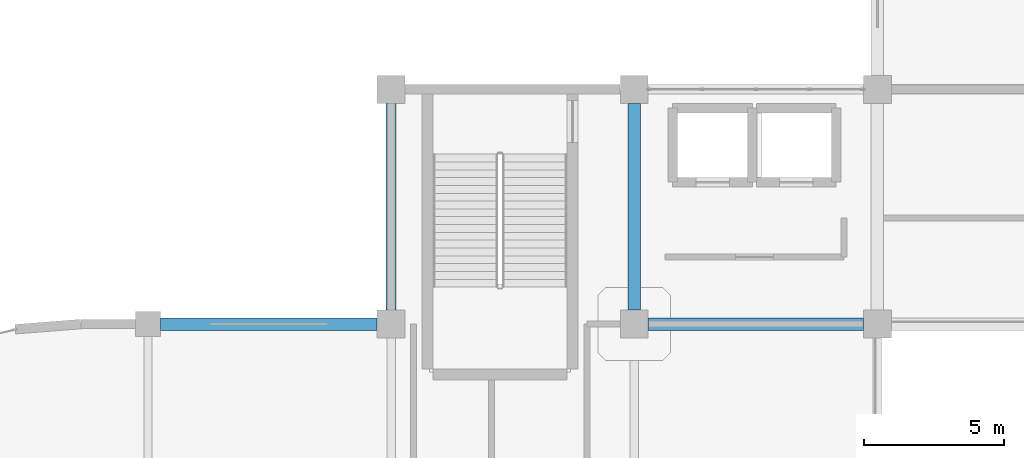
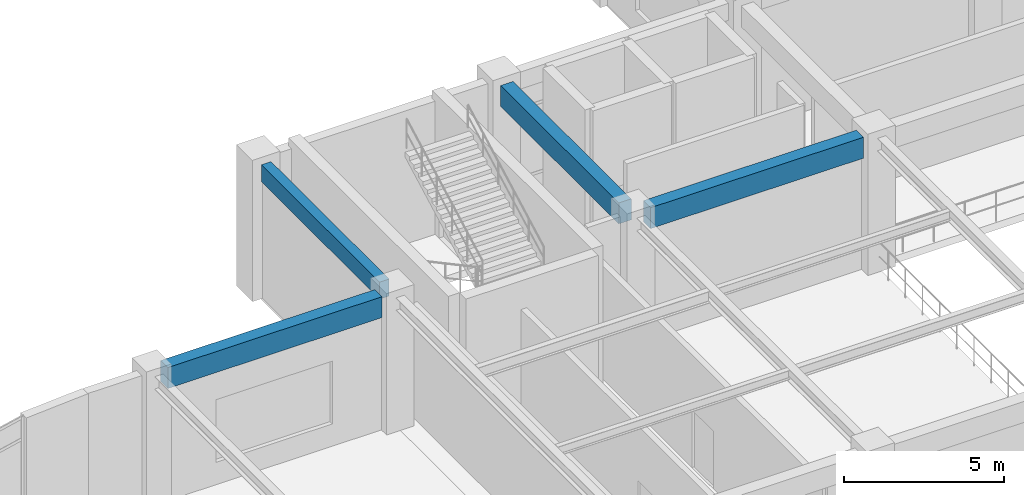
# One storey, part 39 of 114: 4 beams.
"""IFC4 building model written with IfcOpenShell, lengths in metres."""

from ifc_helpers import new_model, si_unit, derived_unit, direction, frame, origin, origin_2d, place, context, subcontext, project, spatial, rectangle, extrude, material, material_profile, profile_set, type_object, element, save


model = new_model("IFC4")

# Units and contexts
model_context = context("Model", 3, precision=1e-05, world=origin(), true_north=direction((0.0, 1.0)))
body_context = subcontext(model_context, "Body", "Model", "MODEL_VIEW")
ifc_project = project(units=[si_unit("LENGTHUNIT", "METRE"), si_unit("AREAUNIT", "SQUARE_METRE"), si_unit("VOLUMEUNIT", "CUBIC_METRE"), si_unit("PLANEANGLEUNIT", "RADIAN"), si_unit("MASSUNIT", "GRAM", prefix="KILO"), derived_unit("THERMALTRANSMITTANCEUNIT", [(si_unit("MASSUNIT", "GRAM", prefix="KILO"), 1), (si_unit("TIMEUNIT", "SECOND"), -3), (si_unit("THERMODYNAMICTEMPERATUREUNIT", "KELVIN"), -1)])], contexts=[model_context])

# Site, building, storey
site_placement = place(None, origin())
site = spatial("IfcSite", under=ifc_project, at=site_placement, CompositionType="ELEMENT")
building_placement = place(site_placement, origin())
building = spatial("IfcBuilding", under=site, at=building_placement, Name="Qinzheling Arcade Emporium", CompositionType="ELEMENT")
storey_placement = place(building_placement, frame((0.0, 0.0, 6.0)))
storey = spatial("IfcBuildingStorey", under=building, at=storey_placement, Name="L02", CompositionType="ELEMENT", Elevation=6.0)

# Beams
ifc_material = material(Name="Concrete C40", Category="concrete")
ifc_material_profile_1 = material_profile(ifc_material, rectangle(XDim=0.449951171875, YDim=0.800048828125, at=origin_2d()), Name="RC 450x800", Category="concrete")
ifc_profile_set_1 = profile_set([ifc_material_profile_1], Name="Concrete C40")
beam_type_1 = type_object("IfcBeamType", Name="RC Primary Frame Beam 450x800 C40", PredefinedType="BEAM", material=ifc_profile_set_1)
beam_1_placement = place(storey_placement, frame((26.550048828125, 65.39990234375, 4.719970703125), z_axis=(1.0, 0.0, 0.0), x_axis=(0.0, 1.0, 0.0)))
element("IfcBeam", 1, at=beam_1_placement, inside=storey, type_object=beam_type_1, Name="Beam BM-L02-X-H-4", PredefinedType="BEAM", context=body_context, shape_type="SweptSolid", body=[
    extrude(rectangle(XDim=0.449951171875, YDim=0.800048828125, at=origin_2d()), origin(), (0.0, 0.0, 1.0), 7.75),
])
beam_2_placement = place(storey_placement, frame((44.0, 65.39990234375, 4.719970703125), z_axis=(1.0, 0.0, 0.0), x_axis=(0.0, 1.0, 0.0)))
element("IfcBeam", 2, at=beam_2_placement, inside=storey, type_object=beam_type_1, Name="Beam BM-L02-X-H-6", PredefinedType="BEAM", context=body_context, shape_type="SweptSolid", body=[
    extrude(rectangle(XDim=0.449951171875, YDim=0.800048828125, at=origin_2d()), origin(), (0.0, 0.0, 1.0), 7.699951171875),
])
beam_3_placement = place(storey_placement, frame((43.5, 65.89990234375, 4.719970703125), z_axis=(0.0, 1.0, 0.0), x_axis=(-1.0, 0.0, 0.0)))
element("IfcBeam", 3, at=beam_3_placement, inside=storey, type_object=beam_type_1, Name="Beam BM-L02-Y-6-H", PredefinedType="BEAM", context=body_context, shape_type="SweptSolid", body=[
    extrude(rectangle(XDim=0.449951171875, YDim=0.800048828125, at=origin_2d()), origin(), (0.0, 0.0, 1.0), 7.400146484375),
])
ifc_material_profile_2 = material_profile(ifc_material, rectangle(XDim=0.35009765625, YDim=0.64990234375, at=origin_2d()), Name="RC 350x650", Category="concrete")
ifc_profile_set_2 = profile_set([ifc_material_profile_2], Name="Concrete C40")
beam_type_2 = type_object("IfcBeamType", Name="RC Spandrel Edge Beam 350x650 C40", PredefinedType="SPANDREL", material=ifc_profile_set_2)
beam_4_placement = place(storey_placement, frame((34.800048828125, 65.89990234375, 4.794921875), z_axis=(0.0, 1.0, 0.0), x_axis=(-1.0, 0.0, 0.0)))
element("IfcBeam", 4, at=beam_4_placement, inside=storey, type_object=beam_type_2, Name="Beam BM-L02-Y-5-H", PredefinedType="SPANDREL", context=body_context, shape_type="SweptSolid", body=[
    extrude(rectangle(XDim=0.35009765625, YDim=0.64990234375, at=origin_2d()), origin(), (0.0, 0.0, 1.0), 7.400146484375),
])

save(model, "model.ifc")
